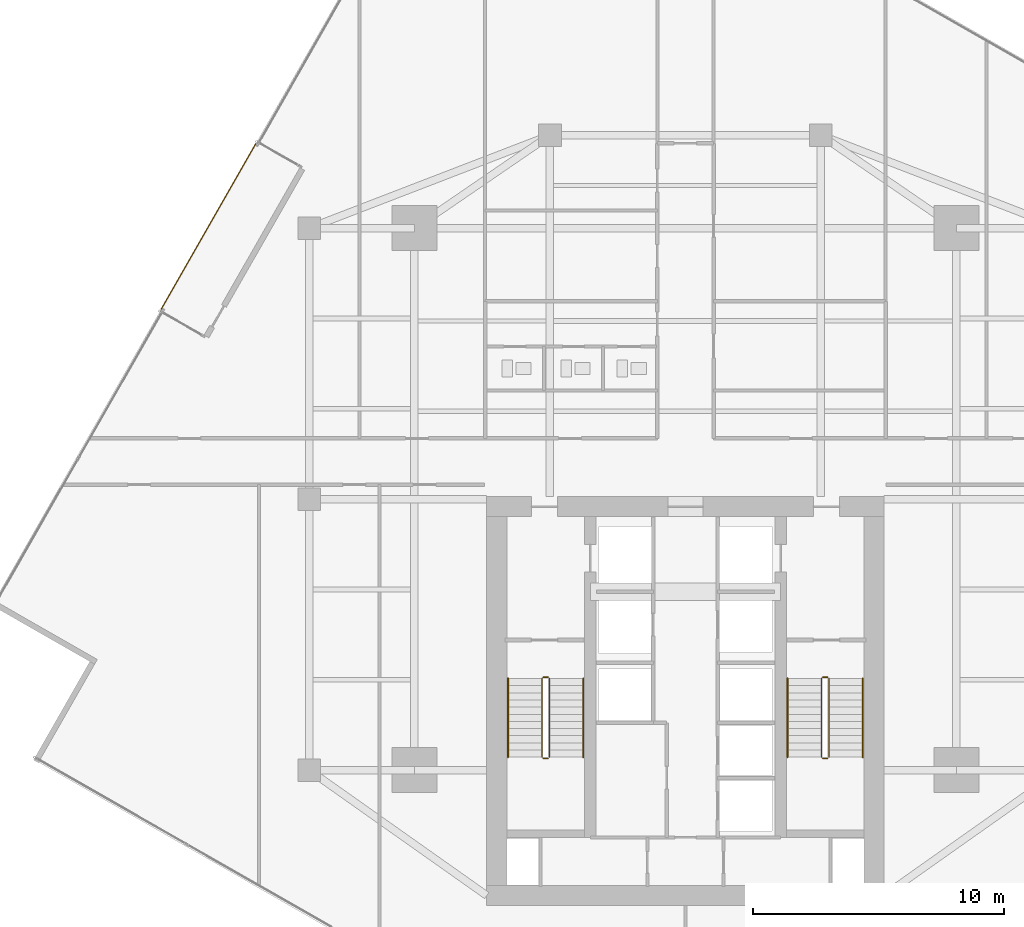
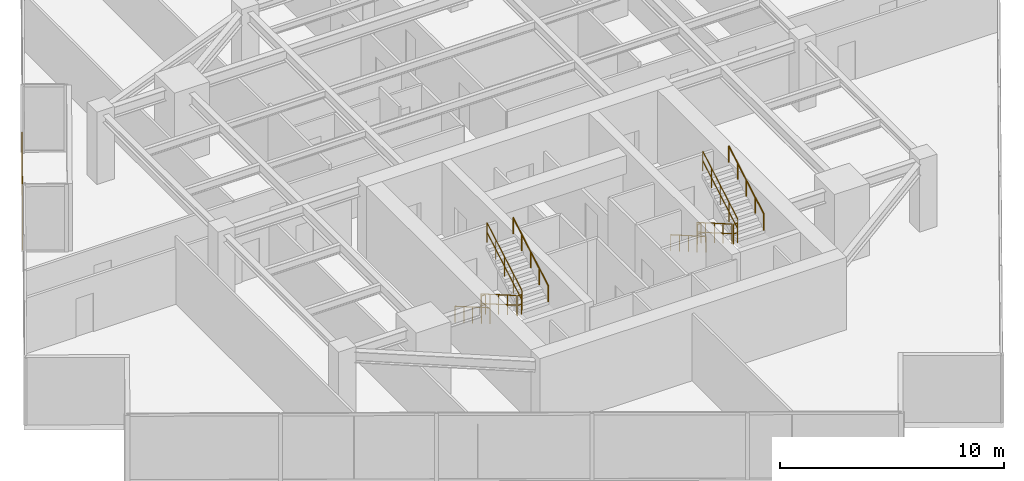
# One storey, part 23 of 24: 13 railings.
"""IFC4 building model written with IfcOpenShell, lengths in metres."""

import ifcopenshell
import ifcopenshell.guid

model = None  # the IFC model being written
_history = None  # IfcOwnerHistory: only IFC2X3 demands one
_inside = {}  # id of a spatial element -> (the spatial element, [elements in it])
_under = {}  # id of a project, library or spatial element -> (it, [spatial elements below it])
_declared = {}  # id of a project -> (the project, [libraries it declares])
_typed = {}  # id of a type object -> (the type object, [elements of that type])
_made_of = {}  # id of a material, layer set ... -> (it, [elements and type objects made of it])


def new_model(schema):
    """Start an empty IFC model of exactly this schema.

    Asked for "IFC4X3", IfcOpenShell would pick the latest addendum, in which some entities
    have other attributes; the version numbers below select the first issue.
    IFC2X3 requires an IfcOwnerHistory on every rooted entity: one is made here for all.
    """
    global model, _history
    if schema == "IFC4X3":
        model = ifcopenshell.file(schema_version=(4, 3, 0, 0))
    else:
        model = ifcopenshell.file(schema=schema)
    _inside.clear()
    _under.clear()
    _declared.clear()
    _typed.clear()
    _made_of.clear()
    _history = None
    if model.schema == "IFC2X3":
        org = make("IfcOrganization", Name="unknown")
        user = make(
            "IfcPersonAndOrganization",
            ThePerson=make("IfcPerson", FamilyName="unknown"),
            TheOrganization=org,
        )
        app = make(
            "IfcApplication",
            ApplicationDeveloper=org,
            Version="unknown",
            ApplicationFullName="unknown",
            ApplicationIdentifier="unknown",
        )
        _history = make(
            "IfcOwnerHistory",
            OwningUser=user,
            OwningApplication=app,
            ChangeAction="ADDED",
            CreationDate=0,
        )
    return model


def make(cls, **values):
    """One entity of the class cls with the attributes given. An attribute that is None is left unset."""
    return model.create_entity(
        cls, **{name: value for name, value in values.items() if value is not None}
    )


def rooted(cls, **values):
    """An entity with a GlobalId (a new one), such as an element, a storey or a relation."""
    return make(cls, GlobalId=ifcopenshell.guid.new(), OwnerHistory=_history, **values)


def si_unit(unit_type, name, prefix=None):
    """IfcSIUnit, for example si_unit("LENGTHUNIT", "METRE", prefix="MILLI")."""
    return make("IfcSIUnit", UnitType=unit_type, Prefix=prefix, Name=name)


def assignment(units):
    """IfcUnitAssignment: the units of a project."""
    return None if units is None else make("IfcUnitAssignment", Units=units)


def point(xyz):
    """IfcCartesianPoint."""
    return None if xyz is None else make("IfcCartesianPoint", Coordinates=xyz)


def direction(xyz):
    """IfcDirection."""
    return None if xyz is None else make("IfcDirection", DirectionRatios=xyz)


def frame(location, z_axis=None, x_axis=None):
    """IfcAxis2Placement3D, a coordinate frame: its origin and axes. An axis left out is left unset."""
    return make(
        "IfcAxis2Placement3D",
        Location=point(location),
        Axis=direction(z_axis),
        RefDirection=direction(x_axis),
    )


def frame_2d(location, x_axis=None):
    """IfcAxis2Placement2D, a coordinate frame in the plane: its origin and x axis."""
    return make(
        "IfcAxis2Placement2D", Location=point(location), RefDirection=direction(x_axis)
    )


def origin():
    """The frame at (0, 0, 0) with its axes left unset."""
    return frame((0.0, 0.0, 0.0))


def origin_2d():
    """The frame at (0, 0) in the plane with its x axis left unset."""
    return frame_2d((0.0, 0.0))


def place(relative_to, where):
    """IfcLocalPlacement: puts the frame where relative to a parent placement (None: the world)."""
    return make(
        "IfcLocalPlacement", PlacementRelTo=relative_to, RelativePlacement=where
    )


def context(
    kind, dimensions, precision=None, world=None, true_north=None, identifier=None
):
    """IfcGeometricRepresentationContext, for example the 3D "Model" context."""
    return make(
        "IfcGeometricRepresentationContext",
        ContextIdentifier=identifier,
        ContextType=kind,
        CoordinateSpaceDimension=dimensions,
        Precision=precision,
        WorldCoordinateSystem=world,
        TrueNorth=true_north,
    )


def subcontext(parent, identifier, kind, view, scale=None):
    """IfcGeometricRepresentationSubContext, for example "Body" below "Model"."""
    return make(
        "IfcGeometricRepresentationSubContext",
        ContextIdentifier=identifier,
        ContextType=kind,
        ParentContext=parent,
        TargetScale=scale,
        TargetView=view,
    )


def project(units=None, contexts=None):
    """IfcProject with its units and contexts."""
    return rooted(
        "IfcProject",
        Name="project",
        RepresentationContexts=contexts,
        UnitsInContext=assignment(units),
    )


def spatial(cls, under=None, at=None, **own):
    """A site, building, storey or space (cls), placed at a placement, below another one or the project."""
    s = rooted(cls, ObjectPlacement=at, **own)
    if under is not None:
        _under.setdefault(under.id(), (under, []))[1].append(s)
    return s


def profile(cls, at=None, kind="AREA", **sizes):
    """A parametric profile (cls). Its sizes go by their IFC names, for example OverallWidth=200.0."""
    return make(cls, ProfileType=kind, Position=at, **sizes)


def circle(**sizes):
    """IfcCircleProfileDef."""
    return profile("IfcCircleProfileDef", **sizes)


def extrude(swept, where, along, depth):
    """IfcExtrudedAreaSolid: the profile swept, set in the frame where, extruded along a direction by depth."""
    return make(
        "IfcExtrudedAreaSolid",
        SweptArea=swept,
        Position=where,
        ExtrudedDirection=direction(along),
        Depth=depth,
    )


def shape(context_of_items, identifier, shape_type, items):
    """IfcShapeRepresentation: the items that make up one representation, for example the "Body"."""
    return make(
        "IfcShapeRepresentation",
        ContextOfItems=context_of_items,
        RepresentationIdentifier=identifier,
        RepresentationType=shape_type,
        Items=items,
    )


def material(Name=None, Category=None):
    """IfcMaterial."""
    return make("IfcMaterial", Name=Name, Category=Category)


def layer(
    of_material, thickness, ventilated=None, Name=None, Category=None, Priority=None
):
    """IfcMaterialLayer: one layer of a wall or slab, of a material (None: an air gap)."""
    return make(
        "IfcMaterialLayer",
        Material=of_material,
        LayerThickness=thickness,
        IsVentilated=ventilated,
        Name=Name,
        Category=Category,
        Priority=Priority,
    )


def layer_set(layers, Name=None):
    """IfcMaterialLayerSet."""
    return make("IfcMaterialLayerSet", MaterialLayers=layers, LayerSetName=Name)


def made_of(thing, what):
    """Note that an element or type object is made of a material, layer set ...; save() writes the relation."""
    if what is not None:
        _made_of.setdefault(what.id(), (what, []))[1].append(thing)
    return thing


def type_object(cls, material=None, **own):
    """A type object (cls), such as IfcWallType, which elements share."""
    return made_of(rooted(cls, **own), material)


def element(
    cls,
    number,
    at=None,
    inside=None,
    cuts=None,
    type_object=None,
    material=None,
    context=None,
    identifier="Body",
    shape_type=None,
    held_by="IfcProductDefinitionShape",
    body=None,
    shapes=None,
    **own,
):
    """One element of the class cls, such as IfcWall. Its Tag is "e" and its number.

    at: its placement. inside: the storey or other place that contains it. cuts: it is an
    opening in that element (IfcRelVoidsElement). A single representation is given by context,
    identifier, shape_type and body (its items); several are given by shapes. held_by: the class
    of the entity that holds the representations. save() writes the other relations.
    """
    e = rooted(cls, Tag="e%d" % number, ObjectPlacement=at, **own)
    if body is not None:
        shapes = [shape(context, identifier, shape_type, body)]
    if shapes is not None:
        e.Representation = make(held_by, Representations=shapes)
    if inside is not None:
        _inside.setdefault(inside.id(), (inside, []))[1].append(e)
    if cuts is not None:
        rooted(
            "IfcRelVoidsElement", RelatingBuildingElement=cuts, RelatedOpeningElement=e
        )
    if type_object is not None:
        _typed.setdefault(type_object.id(), (type_object, []))[1].append(e)
    return made_of(e, material)


def aggregate(whole, parts):
    """IfcRelAggregates: a whole, such as a stair, and the parts it consists of."""
    return rooted("IfcRelAggregates", RelatingObject=whole, RelatedObjects=parts)


def save(model, path):
    """Write the relations noted so far, then the file.

    IfcRelAggregates (storeys below a building ...), IfcRelContainedInSpatialStructure (elements
    in a storey), IfcRelDefinesByType, IfcRelAssociatesMaterial and IfcRelDeclares: one each for
    every whole, place, type object, material and project.
    """
    for whole, parts in _under.values():
        aggregate(whole, parts)
    for where, things in _inside.values():
        rooted(
            "IfcRelContainedInSpatialStructure",
            RelatedElements=things,
            RelatingStructure=where,
        )
    for kind, things in _typed.values():
        rooted("IfcRelDefinesByType", RelatedObjects=things, RelatingType=kind)
    for what, things in _made_of.values():
        rooted("IfcRelAssociatesMaterial", RelatedObjects=things, RelatingMaterial=what)
    for by, libraries in _declared.values():
        rooted("IfcRelDeclares", RelatingContext=by, RelatedDefinitions=libraries)
    model.write(path)


model = new_model("IFC4")

# Units and contexts
model_context = context("Model", 3, precision=1e-05, world=origin(), true_north=direction((0.0, 1.0)))
body_context = subcontext(model_context, "Body", "Model", "MODEL_VIEW")
ifc_project = project(units=[si_unit("LENGTHUNIT", "METRE"), si_unit("AREAUNIT", "SQUARE_METRE"), si_unit("VOLUMEUNIT", "CUBIC_METRE"), si_unit("PLANEANGLEUNIT", "RADIAN"), si_unit("MASSUNIT", "GRAM", prefix="KILO")], contexts=[model_context])

# Site, building, storey
site_placement = place(None, origin())
site = spatial("IfcSite", under=ifc_project, at=site_placement, CompositionType="ELEMENT")
building_placement = place(site_placement, origin())
building = spatial("IfcBuilding", under=site, at=building_placement, Name="Krantzveldt Concourse Tower", CompositionType="ELEMENT")
storey_placement = place(building_placement, frame((0.0, 0.0, 169.89990234375)))
storey = spatial("IfcBuildingStorey", under=building, at=storey_placement, Name="L41", CompositionType="ELEMENT", Elevation=169.89990234375)

# Railings
ifc_material = material(Name="Stainless steel 316L", Category="steel")
ifc_layer_1 = layer(ifc_material, 0.080078125, Name="Stainless steel 316L", Category="steel")
ifc_layer_set_1 = layer_set([ifc_layer_1], Name="Stainless steel 316L (RL-BALUSTRADE-1150)")
railing_type_1 = type_object("IfcRailingType", Name="RL-BALUSTRADE-1150", PredefinedType="BALUSTRADE", material=ifc_layer_set_1)
railing_1_placement = place(storey_placement, frame((18.8720703125, 40.8662109375, 0.0)))
element("IfcRailing", 1, at=railing_1_placement, inside=storey, type_object=railing_type_1, Name="GD-L41-CTER-01", PredefinedType="BALUSTRADE", context=body_context, shape_type="SweptSolid", body=[
    extrude(circle(Radius=0.02392578125, at=origin_2d()), frame((0.0, 0.0, 1.1259765625), z_axis=(-0.496225424633, -0.868193715681, 0.0), x_axis=(0.868193715681, -0.496225424633, 0.0)), (0.0, 0.0, 1.0), 7.599853515625),
    extrude(circle(Radius=0.02392578125, at=origin_2d()), frame((0.0, 0.0, 0.574951171875), z_axis=(-0.496225424633, -0.868193715681, 0.0), x_axis=(0.868193715681, -0.496225424633, 0.0)), (0.0, 0.0, 1.0), 7.599853515625),
    extrude(circle(Radius=0.02099609375, at=origin_2d()), origin(), (0.0, 0.0, 1.0), 1.101806640625),
    extrude(circle(Radius=0.02099609375, at=origin_2d()), frame((-0.538818359375, -0.942626953125, 0.0)), (0.0, 0.0, 1.0), 1.101806640625),
    extrude(circle(Radius=0.02099609375, at=origin_2d()), frame((-1.077392578125, -1.88525390625, 0.0)), (0.0, 0.0, 1.0), 1.101806640625),
    extrude(circle(Radius=0.02099609375, at=origin_2d()), frame((-1.6162109375, -2.827880859375, 0.0)), (0.0, 0.0, 1.0), 1.101806640625),
    extrude(circle(Radius=0.02099609375, at=origin_2d()), frame((-2.155029296875, -3.770263671875, 0.0)), (0.0, 0.0, 1.0), 1.101806640625),
    extrude(circle(Radius=0.02099609375, at=origin_2d()), frame((-2.69384765625, -4.712890625, 0.0)), (0.0, 0.0, 1.0), 1.101806640625),
    extrude(circle(Radius=0.02099609375, at=origin_2d()), frame((-3.232421875, -5.655517578125, 0.0)), (0.0, 0.0, 1.0), 1.101806640625),
    extrude(circle(Radius=0.02099609375, at=origin_2d()), frame((-3.771240234375, -6.59814453125, 0.0)), (0.0, 0.0, 1.0), 1.101806640625),
])
ifc_layer_2 = layer(ifc_material, 0.06005859375, Name="Stainless steel 316L", Category="steel")
ifc_layer_set_2 = layer_set([ifc_layer_2], Name="Stainless steel 316L (RL-GUARD-1120)")
railing_type_2 = type_object("IfcRailingType", Name="RL-GUARD-1120", PredefinedType="GUARDRAIL", material=ifc_layer_set_2)
railing_2_placement = place(storey_placement, frame((30.280029296875, 19.550048828125, 0.164794921875)))
element("IfcRailing", 2, at=railing_2_placement, inside=storey, type_object=railing_type_2, Name="L41 ST-1 stair guard 1", PredefinedType="GUARDRAIL", context=body_context, shape_type="SweptSolid", body=[
    extrude(circle(Radius=0.02392578125, at=origin_2d()), frame((0.0, 0.0, 1.076171875), z_axis=(0.0, -0.865989039225, 0.500062979975), x_axis=(1.0, 0.0, 0.0)), (0.0, 0.0, 1.0), 3.6201171875),
    extrude(circle(Radius=0.02392578125, at=origin_2d()), frame((0.0, 0.0, 0.550048828125), z_axis=(0.0, -0.865989039225, 0.500062979975), x_axis=(1.0, 0.0, 0.0)), (0.0, 0.0, 1.0), 3.6201171875),
    extrude(circle(Radius=0.02099609375, at=origin_2d()), origin(), (0.0, 0.0, 1.0), 1.052001953125),
    extrude(circle(Radius=0.02099609375, at=origin_2d()), frame((0.0, -0.78369140625, 0.45263671875)), (0.0, 0.0, 1.0), 1.052001953125),
    extrude(circle(Radius=0.02099609375, at=origin_2d()), frame((0.0, -1.5673828125, 0.9052734375)), (0.0, 0.0, 1.0), 1.052001953125),
    extrude(circle(Radius=0.02099609375, at=origin_2d()), frame((0.0, -2.351318359375, 1.357666015625)), (0.0, 0.0, 1.0), 1.052001953125),
    extrude(circle(Radius=0.02099609375, at=origin_2d()), frame((0.0, -3.135009765625, 1.810302734375)), (0.0, 0.0, 1.0), 1.052001953125),
])
railing_3_placement = place(storey_placement, frame((30.330078125, 16.364990234375, 1.97509765625)))
element("IfcRailing", 3, at=railing_3_placement, inside=storey, type_object=railing_type_2, Name="L41 ST-1 stair guard 2", PredefinedType="GUARDRAIL", context=body_context, shape_type="SweptSolid", body=[
    extrude(circle(Radius=0.02392578125, at=origin_2d()), frame((0.0, 0.0, 1.076171875), z_axis=(1.0, 0.0, 0.0), x_axis=(0.0, 1.0, 0.0)), (0.0, 0.0, 1.0), 0.199951171875),
    extrude(circle(Radius=0.02392578125, at=origin_2d()), frame((0.0, 0.0, 0.550048828125), z_axis=(1.0, 0.0, 0.0), x_axis=(0.0, 1.0, 0.0)), (0.0, 0.0, 1.0), 0.199951171875),
    extrude(circle(Radius=0.02099609375, at=origin_2d()), origin(), (0.0, 0.0, 1.0), 1.052001953125),
    extrude(circle(Radius=0.02099609375, at=origin_2d()), frame((0.199951171875, 0.0, 0.0)), (0.0, 0.0, 1.0), 1.052001953125),
])
railing_4_placement = place(storey_placement, frame((30.580078125, 16.4150390625, 2.1396484375)))
element("IfcRailing", 4, at=railing_4_placement, inside=storey, type_object=railing_type_2, Name="L41 ST-1 stair guard 3", PredefinedType="GUARDRAIL", context=body_context, shape_type="SweptSolid", body=[
    extrude(circle(Radius=0.02392578125, at=origin_2d()), frame((0.0, 0.0, 1.076171875), z_axis=(0.0, 0.865959834175, 0.500113552702), x_axis=(-1.0, 0.0, 0.0)), (0.0, 0.0, 1.0), 3.620361328125),
    extrude(circle(Radius=0.02392578125, at=origin_2d()), frame((0.0, 0.0, 0.550048828125), z_axis=(0.0, 0.865959834175, 0.500113552702), x_axis=(-1.0, 0.0, 0.0)), (0.0, 0.0, 1.0), 3.620361328125),
    extrude(circle(Radius=0.02099609375, at=origin_2d()), origin(), (0.0, 0.0, 1.0), 1.052001953125),
    extrude(circle(Radius=0.02099609375, at=origin_2d()), frame((0.0, 0.78369140625, 0.45263671875)), (0.0, 0.0, 1.0), 1.052001953125),
    extrude(circle(Radius=0.02099609375, at=origin_2d()), frame((0.0, 1.5673828125, 0.9052734375)), (0.0, 0.0, 1.0), 1.052001953125),
    extrude(circle(Radius=0.02099609375, at=origin_2d()), frame((0.0, 2.351318359375, 1.35791015625)), (0.0, 0.0, 1.0), 1.052001953125),
    extrude(circle(Radius=0.02099609375, at=origin_2d()), frame((0.0, 3.135009765625, 1.810546875)), (0.0, 0.0, 1.0), 1.052001953125),
])
railing_5_placement = place(storey_placement, frame((30.330078125, 19.60009765625, 0.0)))
element("IfcRailing", 5, at=railing_5_placement, inside=storey, type_object=railing_type_2, Name="L41 ST-1 stair guard 4", PredefinedType="GUARDRAIL", context=body_context, shape_type="SweptSolid", body=[
    extrude(circle(Radius=0.02392578125, at=origin_2d()), frame((0.0, 0.0, 1.076171875), z_axis=(1.0, 0.0, 0.0), x_axis=(0.0, 1.0, 0.0)), (0.0, 0.0, 1.0), 0.199951171875),
    extrude(circle(Radius=0.02392578125, at=origin_2d()), frame((0.0, 0.0, 0.550048828125), z_axis=(1.0, 0.0, 0.0), x_axis=(0.0, 1.0, 0.0)), (0.0, 0.0, 1.0), 0.199951171875),
    extrude(circle(Radius=0.02099609375, at=origin_2d()), origin(), (0.0, 0.0, 1.0), 1.052001953125),
    extrude(circle(Radius=0.02099609375, at=origin_2d()), frame((0.199951171875, 0.0, 0.0)), (0.0, 0.0, 1.0), 1.052001953125),
])
railing_6_placement = place(storey_placement, frame((41.419921875, 19.550048828125, 0.164794921875)))
element("IfcRailing", 6, at=railing_6_placement, inside=storey, type_object=railing_type_2, Name="L41 ST-2 stair guard 1", PredefinedType="GUARDRAIL", context=body_context, shape_type="SweptSolid", body=[
    extrude(circle(Radius=0.02392578125, at=origin_2d()), frame((0.0, 0.0, 1.076171875), z_axis=(0.0, -0.865989039225, 0.500062979975), x_axis=(1.0, 0.0, 0.0)), (0.0, 0.0, 1.0), 3.6201171875),
    extrude(circle(Radius=0.02392578125, at=origin_2d()), frame((0.0, 0.0, 0.550048828125), z_axis=(0.0, -0.865989039225, 0.500062979975), x_axis=(1.0, 0.0, 0.0)), (0.0, 0.0, 1.0), 3.6201171875),
    extrude(circle(Radius=0.02099609375, at=origin_2d()), origin(), (0.0, 0.0, 1.0), 1.052001953125),
    extrude(circle(Radius=0.02099609375, at=origin_2d()), frame((0.0, -0.78369140625, 0.45263671875)), (0.0, 0.0, 1.0), 1.052001953125),
    extrude(circle(Radius=0.02099609375, at=origin_2d()), frame((0.0, -1.5673828125, 0.9052734375)), (0.0, 0.0, 1.0), 1.052001953125),
    extrude(circle(Radius=0.02099609375, at=origin_2d()), frame((0.0, -2.351318359375, 1.357666015625)), (0.0, 0.0, 1.0), 1.052001953125),
    extrude(circle(Radius=0.02099609375, at=origin_2d()), frame((0.0, -3.135009765625, 1.810302734375)), (0.0, 0.0, 1.0), 1.052001953125),
])
railing_7_placement = place(storey_placement, frame((41.469970703125, 16.364990234375, 1.97509765625)))
element("IfcRailing", 7, at=railing_7_placement, inside=storey, type_object=railing_type_2, Name="L41 ST-2 stair guard 2", PredefinedType="GUARDRAIL", context=body_context, shape_type="SweptSolid", body=[
    extrude(circle(Radius=0.02392578125, at=origin_2d()), frame((0.0, 0.0, 1.076171875), z_axis=(1.0, 0.0, 0.0), x_axis=(0.0, 1.0, 0.0)), (0.0, 0.0, 1.0), 0.199951171875),
    extrude(circle(Radius=0.02392578125, at=origin_2d()), frame((0.0, 0.0, 0.550048828125), z_axis=(1.0, 0.0, 0.0), x_axis=(0.0, 1.0, 0.0)), (0.0, 0.0, 1.0), 0.199951171875),
    extrude(circle(Radius=0.02099609375, at=origin_2d()), origin(), (0.0, 0.0, 1.0), 1.052001953125),
    extrude(circle(Radius=0.02099609375, at=origin_2d()), frame((0.199951171875, 0.0, 0.0)), (0.0, 0.0, 1.0), 1.052001953125),
])
railing_8_placement = place(storey_placement, frame((41.719970703125, 16.4150390625, 2.1396484375)))
element("IfcRailing", 8, at=railing_8_placement, inside=storey, type_object=railing_type_2, Name="L41 ST-2 stair guard 3", PredefinedType="GUARDRAIL", context=body_context, shape_type="SweptSolid", body=[
    extrude(circle(Radius=0.02392578125, at=origin_2d()), frame((0.0, 0.0, 1.076171875), z_axis=(0.0, 0.865959834175, 0.500113552702), x_axis=(-1.0, 0.0, 0.0)), (0.0, 0.0, 1.0), 3.620361328125),
    extrude(circle(Radius=0.02392578125, at=origin_2d()), frame((0.0, 0.0, 0.550048828125), z_axis=(0.0, 0.865959834175, 0.500113552702), x_axis=(-1.0, 0.0, 0.0)), (0.0, 0.0, 1.0), 3.620361328125),
    extrude(circle(Radius=0.02099609375, at=origin_2d()), origin(), (0.0, 0.0, 1.0), 1.052001953125),
    extrude(circle(Radius=0.02099609375, at=origin_2d()), frame((0.0, 0.78369140625, 0.45263671875)), (0.0, 0.0, 1.0), 1.052001953125),
    extrude(circle(Radius=0.02099609375, at=origin_2d()), frame((0.0, 1.5673828125, 0.9052734375)), (0.0, 0.0, 1.0), 1.052001953125),
    extrude(circle(Radius=0.02099609375, at=origin_2d()), frame((0.0, 2.351318359375, 1.35791015625)), (0.0, 0.0, 1.0), 1.052001953125),
    extrude(circle(Radius=0.02099609375, at=origin_2d()), frame((0.0, 3.135009765625, 1.810546875)), (0.0, 0.0, 1.0), 1.052001953125),
])
railing_9_placement = place(storey_placement, frame((41.469970703125, 19.60009765625, 0.0)))
element("IfcRailing", 9, at=railing_9_placement, inside=storey, type_object=railing_type_2, Name="L41 ST-2 stair guard 4", PredefinedType="GUARDRAIL", context=body_context, shape_type="SweptSolid", body=[
    extrude(circle(Radius=0.02392578125, at=origin_2d()), frame((0.0, 0.0, 1.076171875), z_axis=(1.0, 0.0, 0.0), x_axis=(0.0, 1.0, 0.0)), (0.0, 0.0, 1.0), 0.199951171875),
    extrude(circle(Radius=0.02392578125, at=origin_2d()), frame((0.0, 0.0, 0.550048828125), z_axis=(1.0, 0.0, 0.0), x_axis=(0.0, 1.0, 0.0)), (0.0, 0.0, 1.0), 0.199951171875),
    extrude(circle(Radius=0.02099609375, at=origin_2d()), origin(), (0.0, 0.0, 1.0), 1.052001953125),
    extrude(circle(Radius=0.02099609375, at=origin_2d()), frame((0.199951171875, 0.0, 0.0)), (0.0, 0.0, 1.0), 1.052001953125),
])
ifc_layer_3 = layer(ifc_material, 0.050048828125, Name="Stainless steel 316L", Category="steel")
ifc_layer_set_3 = layer_set([ifc_layer_3], Name="Stainless steel 316L (RL-HANDRAIL-920)")
railing_type_3 = type_object("IfcRailingType", Name="RL-HANDRAIL-920", PredefinedType="HANDRAIL", material=ifc_layer_set_3)
railing_10_placement = place(storey_placement, frame((28.929931640625, 19.550048828125, 0.164794921875)))
element("IfcRailing", 10, at=railing_10_placement, inside=storey, type_object=railing_type_3, Name="L41 ST-1 stair handrail 1", PredefinedType="HANDRAIL", context=body_context, shape_type="SweptSolid", body=[
    extrude(circle(Radius=0.02392578125, at=origin_2d()), frame((0.0, 0.0, 0.8759765625), z_axis=(0.0, -0.865989039225, 0.500062979975), x_axis=(1.0, 0.0, 0.0)), (0.0, 0.0, 1.0), 3.6201171875),
    extrude(circle(Radius=0.02099609375, at=origin_2d()), origin(), (0.0, 0.0, 1.0), 0.851806640625),
    extrude(circle(Radius=0.02099609375, at=origin_2d()), frame((0.0, -0.78369140625, 0.45263671875)), (0.0, 0.0, 1.0), 0.851806640625),
    extrude(circle(Radius=0.02099609375, at=origin_2d()), frame((0.0, -1.5673828125, 0.9052734375)), (0.0, 0.0, 1.0), 0.851806640625),
    extrude(circle(Radius=0.02099609375, at=origin_2d()), frame((0.0, -2.351318359375, 1.357666015625)), (0.0, 0.0, 1.0), 0.851806640625),
    extrude(circle(Radius=0.02099609375, at=origin_2d()), frame((0.0, -3.135009765625, 1.810302734375)), (0.0, 0.0, 1.0), 0.851806640625),
])
railing_11_placement = place(storey_placement, frame((31.929931640625, 16.4150390625, 2.1396484375)))
element("IfcRailing", 11, at=railing_11_placement, inside=storey, type_object=railing_type_3, Name="L41 ST-1 stair handrail 2", PredefinedType="HANDRAIL", context=body_context, shape_type="SweptSolid", body=[
    extrude(circle(Radius=0.02392578125, at=origin_2d()), frame((0.0, 0.0, 0.8759765625), z_axis=(0.0, 0.865959834175, 0.500113552702), x_axis=(-1.0, 0.0, 0.0)), (0.0, 0.0, 1.0), 3.620361328125),
    extrude(circle(Radius=0.02099609375, at=origin_2d()), origin(), (0.0, 0.0, 1.0), 0.851806640625),
    extrude(circle(Radius=0.02099609375, at=origin_2d()), frame((0.0, 0.78369140625, 0.45263671875)), (0.0, 0.0, 1.0), 0.851806640625),
    extrude(circle(Radius=0.02099609375, at=origin_2d()), frame((0.0, 1.5673828125, 0.9052734375)), (0.0, 0.0, 1.0), 0.851806640625),
    extrude(circle(Radius=0.02099609375, at=origin_2d()), frame((0.0, 2.351318359375, 1.35791015625)), (0.0, 0.0, 1.0), 0.851806640625),
    extrude(circle(Radius=0.02099609375, at=origin_2d()), frame((0.0, 3.135009765625, 1.810546875)), (0.0, 0.0, 1.0), 0.851806640625),
])
railing_12_placement = place(storey_placement, frame((40.070068359375, 19.550048828125, 0.164794921875)))
element("IfcRailing", 12, at=railing_12_placement, inside=storey, type_object=railing_type_3, Name="L41 ST-2 stair handrail 1", PredefinedType="HANDRAIL", context=body_context, shape_type="SweptSolid", body=[
    extrude(circle(Radius=0.02392578125, at=origin_2d()), frame((0.0, 0.0, 0.8759765625), z_axis=(0.0, -0.865989039225, 0.500062979975), x_axis=(1.0, 0.0, 0.0)), (0.0, 0.0, 1.0), 3.6201171875),
    extrude(circle(Radius=0.02099609375, at=origin_2d()), origin(), (0.0, 0.0, 1.0), 0.851806640625),
    extrude(circle(Radius=0.02099609375, at=origin_2d()), frame((0.0, -0.78369140625, 0.45263671875)), (0.0, 0.0, 1.0), 0.851806640625),
    extrude(circle(Radius=0.02099609375, at=origin_2d()), frame((0.0, -1.5673828125, 0.9052734375)), (0.0, 0.0, 1.0), 0.851806640625),
    extrude(circle(Radius=0.02099609375, at=origin_2d()), frame((0.0, -2.351318359375, 1.357666015625)), (0.0, 0.0, 1.0), 0.851806640625),
    extrude(circle(Radius=0.02099609375, at=origin_2d()), frame((0.0, -3.135009765625, 1.810302734375)), (0.0, 0.0, 1.0), 0.851806640625),
])
railing_13_placement = place(storey_placement, frame((43.070068359375, 16.4150390625, 2.1396484375)))
element("IfcRailing", 13, at=railing_13_placement, inside=storey, type_object=railing_type_3, Name="L41 ST-2 stair handrail 2", PredefinedType="HANDRAIL", context=body_context, shape_type="SweptSolid", body=[
    extrude(circle(Radius=0.02392578125, at=origin_2d()), frame((0.0, 0.0, 0.8759765625), z_axis=(0.0, 0.865959834175, 0.500113552702), x_axis=(-1.0, 0.0, 0.0)), (0.0, 0.0, 1.0), 3.620361328125),
    extrude(circle(Radius=0.02099609375, at=origin_2d()), origin(), (0.0, 0.0, 1.0), 0.851806640625),
    extrude(circle(Radius=0.02099609375, at=origin_2d()), frame((0.0, 0.78369140625, 0.45263671875)), (0.0, 0.0, 1.0), 0.851806640625),
    extrude(circle(Radius=0.02099609375, at=origin_2d()), frame((0.0, 1.5673828125, 0.9052734375)), (0.0, 0.0, 1.0), 0.851806640625),
    extrude(circle(Radius=0.02099609375, at=origin_2d()), frame((0.0, 2.351318359375, 1.35791015625)), (0.0, 0.0, 1.0), 0.851806640625),
    extrude(circle(Radius=0.02099609375, at=origin_2d()), frame((0.0, 3.135009765625, 1.810546875)), (0.0, 0.0, 1.0), 0.851806640625),
])

save(model, "model.ifc")
